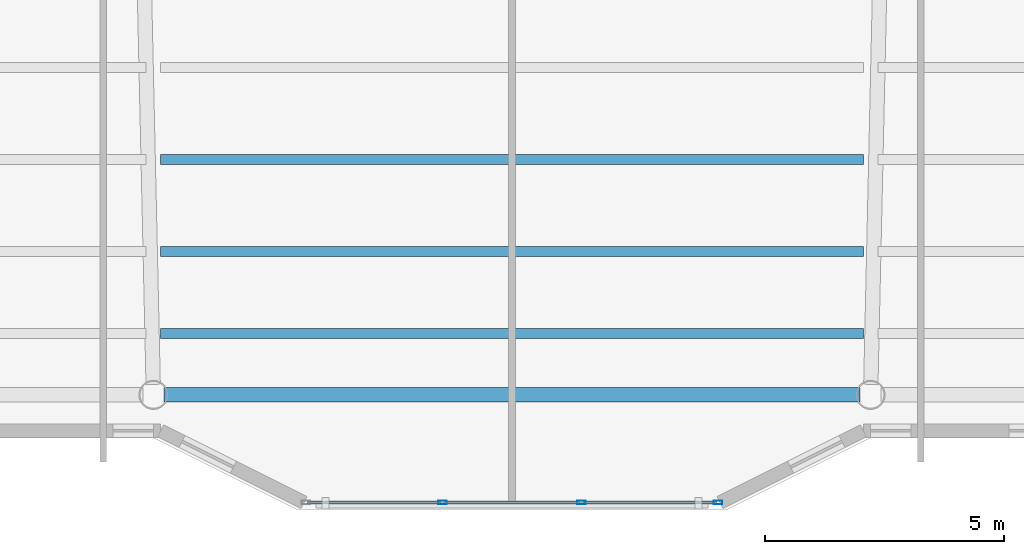
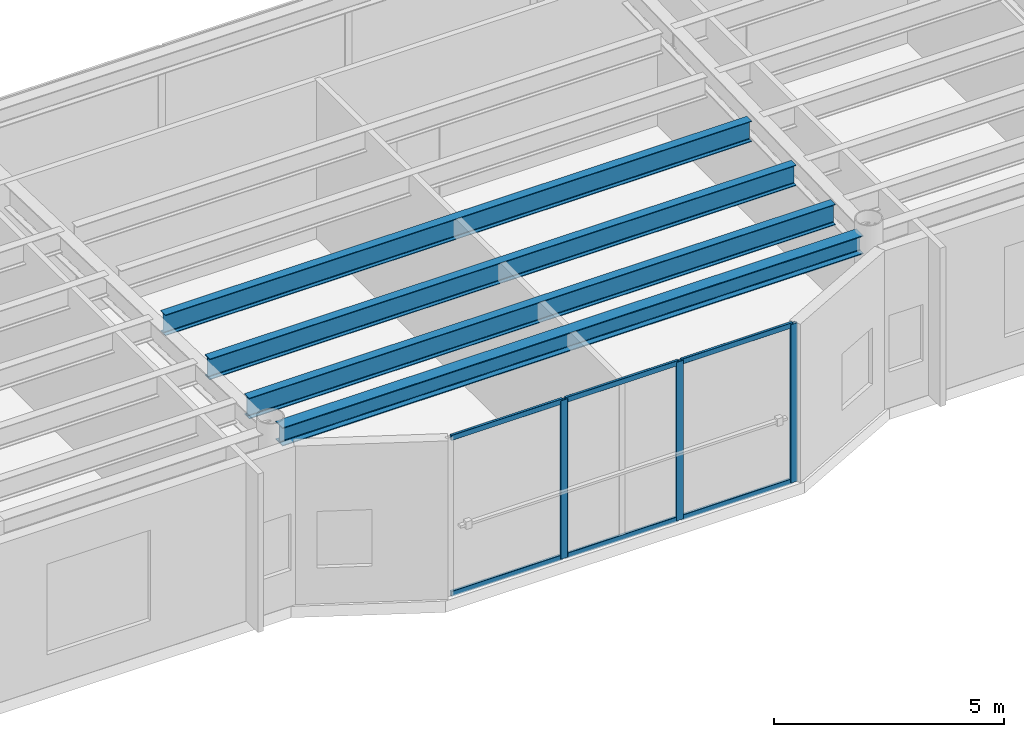
# One storey, part 5 of 38: 9 members, 4 beams, 1 element without a shape of its own.
"""IFC4 building model written with IfcOpenShell, lengths in metres."""

from ifc_helpers import new_model, si_unit, direction, frame, origin, origin_2d, place, context, subcontext, project, spatial, hollow_rectangle, i_section, extrude, material, layer, layer_set, material_profile, profile_set, type_object, element, aggregate, save


model = new_model("IFC4")

# Units and contexts
model_context = context("Model", 3, precision=1e-05, world=origin(), true_north=direction((0.0, 1.0)))
body_context = subcontext(model_context, "Body", "Model", "MODEL_VIEW")
ifc_project = project(units=[si_unit("LENGTHUNIT", "METRE"), si_unit("AREAUNIT", "SQUARE_METRE"), si_unit("VOLUMEUNIT", "CUBIC_METRE"), si_unit("PLANEANGLEUNIT", "RADIAN"), si_unit("MASSUNIT", "GRAM", prefix="KILO")], contexts=[model_context])

# Site, building, storey
site_placement = place(None, origin())
site = spatial("IfcSite", under=ifc_project, at=site_placement, CompositionType="ELEMENT")
building_placement = place(site_placement, origin())
building = spatial("IfcBuilding", under=site, at=building_placement, Name="Tarnavaz Court Tower", CompositionType="ELEMENT")
storey_placement = place(building_placement, frame((0.0, 0.0, 123.0)))
storey = spatial("IfcBuildingStorey", under=building, at=storey_placement, Name="L33", CompositionType="ELEMENT", Elevation=123.0)

# Beams
ifc_material_1 = material(Name="Steel S355", Category="steel")
ifc_material_profile_1 = material_profile(ifc_material_1, i_section(OverallWidth=0.2099609375, OverallDepth=0.550048828125, WebThickness=0.010986328125, FlangeThickness=0.01708984375, FilletRadius=0.02392578125, at=origin_2d()), Name="IPE 550")
ifc_profile_set_1 = profile_set([ifc_material_profile_1], Name="Steel S355")
beam_type_1 = type_object("IfcBeamType", Name="BM-J-IPE550", PredefinedType="JOIST", material=ifc_profile_set_1)
for number, where, z_axis, x_axis, name in (
    (1, (-7.35009765625, -16.3779296875, 3.925048828125), (1.0, 0.0, 0.0), (0.0, 1.0, 0.0), "L33 Beam JS3-2"),
    (2, (-7.35009765625, -18.303955078125, 3.925048828125), (1.0, 0.0, 0.0), (0.0, 1.0, 0.0), "L33 Beam JS4-2"),
    (3, (-7.35009765625, -20.01611328125, 3.925048828125), (1.0, 0.0, 0.0), (0.0, 1.0, 0.0), "L33 Beam JS5-2"),
):
    element("IfcBeam", number, at=place(storey_placement, frame(where, z_axis=z_axis, x_axis=x_axis)), inside=storey, type_object=beam_type_1, Name=name, PredefinedType="JOIST", context=body_context, shape_type="SweptSolid", body=[
        extrude(i_section(OverallWidth=0.2099609375, OverallDepth=0.550048828125, WebThickness=0.010986328125, FlangeThickness=0.01708984375, FilletRadius=0.02392578125, at=origin_2d()), origin(), (0.0, 0.0, 1.0), 14.7001953125),
    ])
ifc_material_profile_2 = material_profile(ifc_material_1, i_section(OverallWidth=0.300048828125, OverallDepth=0.489990234375, WebThickness=0.011962890625, FlangeThickness=0.02294921875, FilletRadius=0.027099609375, at=origin_2d()), Name="HEA 500")
ifc_profile_set_2 = profile_set([ifc_material_profile_2], Name="Steel S355")
beam_type_2 = type_object("IfcBeamType", Name="BM-SP-HEA500", PredefinedType="SPANDREL", material=ifc_profile_set_2)
beam_placement = place(storey_placement, frame((-7.280029296875, -21.300048828125, 3.955078125), z_axis=(1.0, 0.0, 0.0), x_axis=(0.0, 1.0, 0.0)))
element("IfcBeam", 4, at=beam_placement, inside=storey, type_object=beam_type_2, Name="L33 Beam PR-PS-2-PS-3", PredefinedType="SPANDREL", context=body_context, shape_type="SweptSolid", body=[
    extrude(i_section(OverallWidth=0.300048828125, OverallDepth=0.489990234375, WebThickness=0.011962890625, FlangeThickness=0.02294921875, FilletRadius=0.027099609375, at=origin_2d()), origin(), (0.0, 0.0, 1.0), 14.56005859375),
])

# Curtain wall, members
ifc_material_2 = material(Name="Anodised Aluminium 6063-T6 and Solar Low-E Glazing", Category="aluminium")
ifc_layer = layer(ifc_material_2, 0.179931640625)
ifc_layer_set = layer_set([ifc_layer], Name="Anodised Aluminium 6063-T6 and Solar Low-E Glazing")
curtain_wall_type = type_object("IfcCurtainWallType", Name="CW-SYS-02", PredefinedType="NOTDEFINED", material=ifc_layer_set)
curtain_wall_placement = place(storey_placement, origin())
curtain_wall = element("IfcCurtainWall", 5, at=curtain_wall_placement, inside=storey, type_object=curtain_wall_type, Name="L33 Iwan Prow Curtain Wall 17", PredefinedType="NOTDEFINED")
ifc_material_3 = material(Name="Anodised Aluminium 6063-T6", Category="aluminium")
ifc_material_profile_3 = material_profile(ifc_material_3, hollow_rectangle(XDim=0.074951171875, YDim=0.179931640625, WallThickness=0.0048828125, InnerFilletRadius=0.0048828125, OuterFilletRadius=0.010009765625, at=origin_2d()), Name="ALU RHS 180X75X5")
ifc_profile_set_3 = profile_set([ifc_material_profile_3], Name="Anodised Aluminium 6063-T6")
member_type_1 = type_object("IfcMemberType", Name="CW-MUL-180", PredefinedType="MULLION", material=ifc_profile_set_3)
member_1_placement = place(storey_placement, frame((4.3125, -23.550048828125, 0.0), z_axis=(0.0, 0.0, 1.0), x_axis=(0.0, -1.0, 0.0)))
member_1 = element("IfcMember", 6, at=member_1_placement, type_object=member_type_1, Name="CW mullion 1", PredefinedType="MULLION", context=body_context, shape_type="SweptSolid", body=[
    extrude(hollow_rectangle(XDim=0.074951171875, YDim=0.179931640625, WallThickness=0.0048828125, InnerFilletRadius=0.0048828125, OuterFilletRadius=0.010009765625, at=origin_2d()), origin(), (0.0, 0.0, 1.0), 4.199951171875),
])
member_2_placement = place(storey_placement, frame((1.449951171875, -23.550048828125, 0.0), z_axis=(0.0, 0.0, 1.0), x_axis=(0.0, -1.0, 0.0)))
member_2 = element("IfcMember", 7, at=member_2_placement, type_object=member_type_1, Name="CW mullion 2", PredefinedType="MULLION", context=body_context, shape_type="SweptSolid", body=[
    extrude(hollow_rectangle(XDim=0.074951171875, YDim=0.179931640625, WallThickness=0.0048828125, InnerFilletRadius=0.0048828125, OuterFilletRadius=0.010009765625, at=origin_2d()), origin(), (0.0, 0.0, 1.0), 4.199951171875),
])
member_3_placement = place(storey_placement, frame((-1.449951171875, -23.550048828125, 0.0), z_axis=(0.0, 0.0, 1.0), x_axis=(0.0, -1.0, 0.0)))
member_3 = element("IfcMember", 8, at=member_3_placement, type_object=member_type_1, Name="CW mullion 3", PredefinedType="MULLION", context=body_context, shape_type="SweptSolid", body=[
    extrude(hollow_rectangle(XDim=0.074951171875, YDim=0.179931640625, WallThickness=0.0048828125, InnerFilletRadius=0.0048828125, OuterFilletRadius=0.010009765625, at=origin_2d()), origin(), (0.0, 0.0, 1.0), 4.199951171875),
])
ifc_material_profile_4 = material_profile(ifc_material_3, hollow_rectangle(XDim=0.06494140625, YDim=0.139892578125, WallThickness=0.00390625, InnerFilletRadius=0.00390625, OuterFilletRadius=0.008056640625, at=origin_2d()), Name="ALU RHS 140X65X4")
ifc_profile_set_4 = profile_set([ifc_material_profile_4], Name="Anodised Aluminium 6063-T6")
member_type_2 = type_object("IfcMemberType", Name="CW-TRN-140", PredefinedType="USERDEFINED", material=ifc_profile_set_4)
member_4_placement = place(storey_placement, frame((4.27490234375, -23.550048828125, 0.032470703125), z_axis=(-1.0, 0.0, 0.0), x_axis=(0.0, -1.0, 0.0)))
member_4 = element("IfcMember", 9, at=member_4_placement, type_object=member_type_2, Name="CW transom 1.1", ObjectType="TRANSOM", PredefinedType="USERDEFINED", context=body_context, shape_type="SweptSolid", body=[
    extrude(hollow_rectangle(XDim=0.06494140625, YDim=0.139892578125, WallThickness=0.00390625, InnerFilletRadius=0.00390625, OuterFilletRadius=0.008056640625, at=origin_2d()), origin(), (0.0, 0.0, 1.0), 2.787353515625),
])
member_5_placement = place(storey_placement, frame((4.27490234375, -23.550048828125, 4.16748046875), z_axis=(-1.0, 0.0, 0.0), x_axis=(0.0, -1.0, 0.0)))
member_5 = element("IfcMember", 10, at=member_5_placement, type_object=member_type_2, Name="CW transom 1.2", ObjectType="TRANSOM", PredefinedType="USERDEFINED", context=body_context, shape_type="SweptSolid", body=[
    extrude(hollow_rectangle(XDim=0.06494140625, YDim=0.139892578125, WallThickness=0.00390625, InnerFilletRadius=0.00390625, OuterFilletRadius=0.008056640625, at=origin_2d()), origin(), (0.0, 0.0, 1.0), 2.787353515625),
])
member_6_placement = place(storey_placement, frame((1.41259765625, -23.550048828125, 0.032470703125), z_axis=(-1.0, 0.0, 0.0), x_axis=(0.0, -1.0, 0.0)))
member_6 = element("IfcMember", 11, at=member_6_placement, type_object=member_type_2, Name="CW transom 2.1", ObjectType="TRANSOM", PredefinedType="USERDEFINED", context=body_context, shape_type="SweptSolid", body=[
    extrude(hollow_rectangle(XDim=0.06494140625, YDim=0.139892578125, WallThickness=0.00390625, InnerFilletRadius=0.00390625, OuterFilletRadius=0.008056640625, at=origin_2d()), origin(), (0.0, 0.0, 1.0), 2.8251953125),
])
member_7_placement = place(storey_placement, frame((1.41259765625, -23.550048828125, 4.16748046875), z_axis=(-1.0, 0.0, 0.0), x_axis=(0.0, -1.0, 0.0)))
member_7 = element("IfcMember", 12, at=member_7_placement, type_object=member_type_2, Name="CW transom 2.2", ObjectType="TRANSOM", PredefinedType="USERDEFINED", context=body_context, shape_type="SweptSolid", body=[
    extrude(hollow_rectangle(XDim=0.06494140625, YDim=0.139892578125, WallThickness=0.00390625, InnerFilletRadius=0.00390625, OuterFilletRadius=0.008056640625, at=origin_2d()), origin(), (0.0, 0.0, 1.0), 2.8251953125),
])
member_8_placement = place(storey_placement, frame((-1.487548828125, -23.550048828125, 0.032470703125), z_axis=(-1.0, 0.0, 0.0), x_axis=(0.0, -1.0, 0.0)))
member_8 = element("IfcMember", 13, at=member_8_placement, type_object=member_type_2, Name="CW transom 3.1", ObjectType="TRANSOM", PredefinedType="USERDEFINED", context=body_context, shape_type="SweptSolid", body=[
    extrude(hollow_rectangle(XDim=0.06494140625, YDim=0.139892578125, WallThickness=0.00390625, InnerFilletRadius=0.00390625, OuterFilletRadius=0.008056640625, at=origin_2d()), origin(), (0.0, 0.0, 1.0), 2.787353515625),
])
member_9_placement = place(storey_placement, frame((-1.487548828125, -23.550048828125, 4.16748046875), z_axis=(-1.0, 0.0, 0.0), x_axis=(0.0, -1.0, 0.0)))
member_9 = element("IfcMember", 14, at=member_9_placement, type_object=member_type_2, Name="CW transom 3.2", ObjectType="TRANSOM", PredefinedType="USERDEFINED", context=body_context, shape_type="SweptSolid", body=[
    extrude(hollow_rectangle(XDim=0.06494140625, YDim=0.139892578125, WallThickness=0.00390625, InnerFilletRadius=0.00390625, OuterFilletRadius=0.008056640625, at=origin_2d()), origin(), (0.0, 0.0, 1.0), 2.787353515625),
])
aggregate(curtain_wall, [member_1, member_2, member_3, member_4, member_5, member_6, member_7, member_8, member_9])

save(model, "model.ifc")
